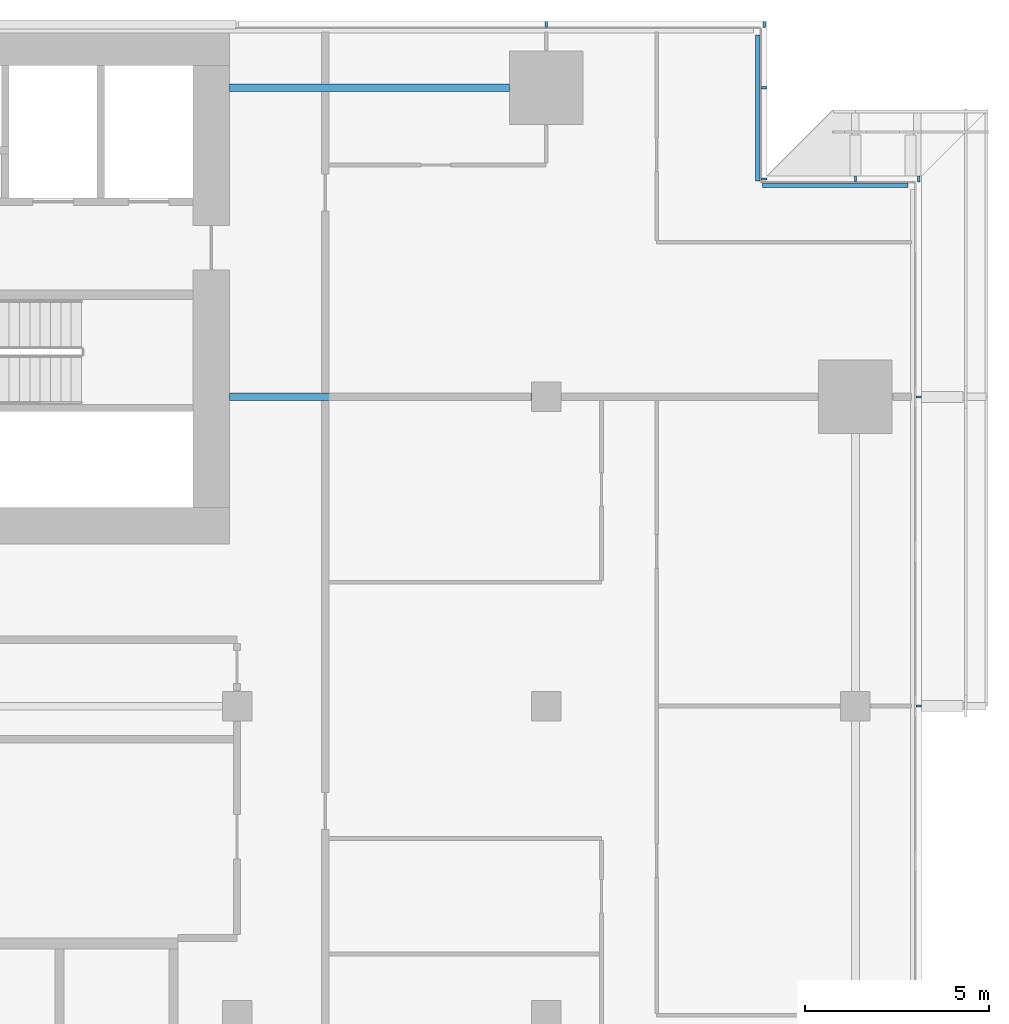
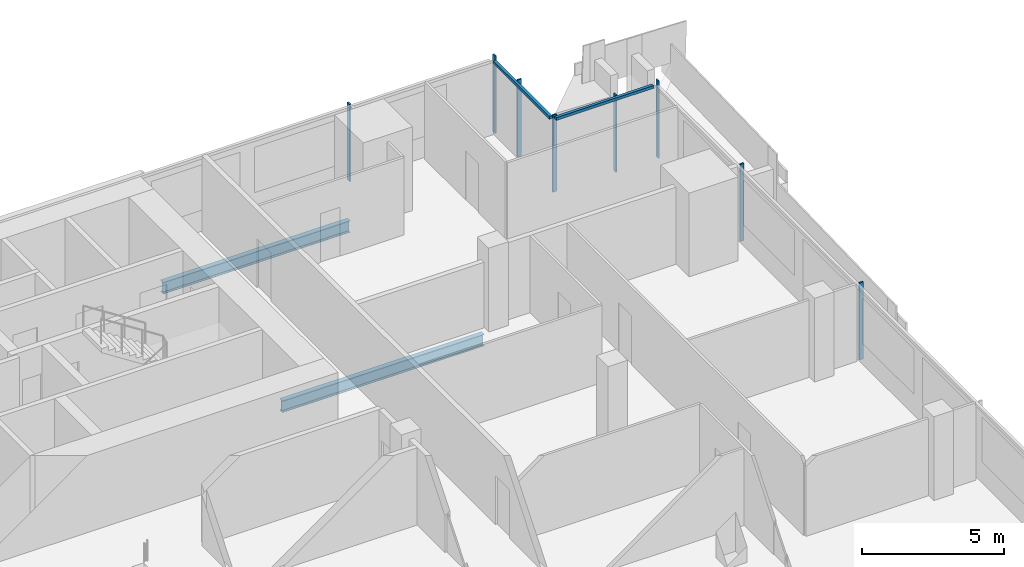
# One storey, part 14 of 29: 10 members, 2 beams, 4 elements without a shape of their own.
"""IFC4 building model written with IfcOpenShell, lengths in metres."""

from ifc_helpers import new_model, si_unit, direction, frame, origin, origin_2d, place, context, subcontext, project, spatial, rectangle, i_section, extrude, material, material_profile, profile_set, type_object, element, aggregate, save


model = new_model("IFC4")

# Units and contexts
model_context = context("Model", 3, precision=1e-05, world=origin(), true_north=direction((0.0, 1.0)))
body_context = subcontext(model_context, "Body", "Model", "MODEL_VIEW")
ifc_project = project(units=[si_unit("LENGTHUNIT", "METRE"), si_unit("AREAUNIT", "SQUARE_METRE"), si_unit("VOLUMEUNIT", "CUBIC_METRE"), si_unit("PLANEANGLEUNIT", "RADIAN"), si_unit("MASSUNIT", "GRAM", prefix="KILO")], contexts=[model_context])

# Site, building, storey
site_placement = place(None, origin())
site = spatial("IfcSite", under=ifc_project, at=site_placement, CompositionType="ELEMENT")
building_placement = place(site_placement, origin())
building = spatial("IfcBuilding", under=site, at=building_placement, Name="Saffron Gate Tower", CompositionType="ELEMENT")
storey_placement = place(building_placement, frame((0.0, 0.0, 113.25)))
storey = spatial("IfcBuildingStorey", under=building, at=storey_placement, Name="L26", CompositionType="ELEMENT", Elevation=113.25)

# Beams
ifc_material_1 = material(Name="Structural steel S355", Category="steel")
ifc_material_profile_1 = material_profile(ifc_material_1, i_section(OverallWidth=0.199951171875, OverallDepth=0.5, WebThickness=0.01025390625, FlangeThickness=0.01611328125, FilletRadius=0.02099609375, at=origin_2d()))
ifc_profile_set_1 = profile_set([ifc_material_profile_1], Name="Structural steel S355")
beam_type = type_object("IfcBeamType", Name="B10 IPE 500", PredefinedType="BEAM", material=ifc_profile_set_1)
beam_1_placement = place(storey_placement, frame((116.60009765625, 65.39990234375, -0.530029296875), z_axis=(-1.0, 0.0, 0.0), x_axis=(0.0, -1.0, 0.0)))
element("IfcBeam", 1, at=beam_1_placement, inside=storey, type_object=beam_type, Name="B10 CORE TIE BEAM", PredefinedType="BEAM", context=body_context, shape_type="SweptSolid", body=[
    extrude(i_section(OverallWidth=0.199951171875, OverallDepth=0.5, WebThickness=0.01025390625, FlangeThickness=0.01611328125, FilletRadius=0.02099609375, at=origin_2d()), origin(), (0.0, 0.0, 1.0), 8.2001953125),
])
beam_2_placement = place(storey_placement, frame((116.0, 73.800048828125, -0.530029296875), z_axis=(-1.0, 0.0, 0.0), x_axis=(0.0, -1.0, 0.0)))
element("IfcBeam", 2, at=beam_2_placement, inside=storey, type_object=beam_type, Name="B10 CORE TIE BEAM", PredefinedType="BEAM", context=body_context, shape_type="SweptSolid", body=[
    extrude(i_section(OverallWidth=0.199951171875, OverallDepth=0.5, WebThickness=0.01025390625, FlangeThickness=0.01611328125, FilletRadius=0.02099609375, at=origin_2d()), origin(), (0.0, 0.0, 1.0), 7.60009765625),
])

# Curtain wall, members
ifc_material_2 = material(Name="Aluminium, bronze anodised", Category="aluminium")
curtain_wall_type_1 = type_object("IfcCurtainWallType", Name="CWS2 curtain wall side facades", PredefinedType="NOTDEFINED", material=ifc_material_2)
curtain_wall_1_placement = place(storey_placement, origin())
curtain_wall_1 = element("IfcCurtainWall", 3, at=curtain_wall_1_placement, inside=storey, type_object=curtain_wall_type_1, Name="CWS2 run 4", PredefinedType="NOTDEFINED")
ifc_material_profile_2 = material_profile(ifc_material_2, rectangle(XDim=0.159912109375, YDim=0.06005859375, at=origin_2d()))
ifc_profile_set_2 = profile_set([ifc_material_profile_2], Name="Aluminium, bronze anodised")
member_type_1 = type_object("IfcMemberType", Name="CWS2 mullion 60x160", PredefinedType="MULLION", material=ifc_profile_set_2)
member_1_placement = place(storey_placement, frame((127.1201171875, 57.0, 0.0), z_axis=(0.0, 0.0, 1.0), x_axis=(-1.0, 0.0, 0.0)))
member_1 = element("IfcMember", 4, at=member_1_placement, type_object=member_type_1, Name="CWS2 mullion 4", PredefinedType="MULLION", context=body_context, shape_type="SweptSolid", body=[
    extrude(rectangle(XDim=0.159912109375, YDim=0.06005859375, at=origin_2d()), origin(), (0.0, 0.0, 1.0), 3.320068359375),
])
member_2_placement = place(storey_placement, frame((127.1201171875, 65.39990234375, 0.0), z_axis=(0.0, 0.0, 1.0), x_axis=(-1.0, 0.0, 0.0)))
member_2 = element("IfcMember", 5, at=member_2_placement, type_object=member_type_1, Name="CWS2 mullion 5", PredefinedType="MULLION", context=body_context, shape_type="SweptSolid", body=[
    extrude(rectangle(XDim=0.159912109375, YDim=0.06005859375, at=origin_2d()), origin(), (0.0, 0.0, 1.0), 3.320068359375),
])
aggregate(curtain_wall_1, [member_1, member_2])

curtain_wall_type_2 = type_object("IfcCurtainWallType", Name="CWS3 curtain wall rear facade", PredefinedType="NOTDEFINED", material=ifc_material_2)
curtain_wall_2_placement = place(storey_placement, origin())
curtain_wall_2 = element("IfcCurtainWall", 6, at=curtain_wall_2_placement, inside=storey, type_object=curtain_wall_type_2, Name="CWS3 run 7", PredefinedType="NOTDEFINED")
ifc_material_profile_3 = material_profile(ifc_material_2, rectangle(XDim=0.159912109375, YDim=0.070068359375, at=origin_2d()))
ifc_profile_set_3 = profile_set([ifc_material_profile_3], Name="Aluminium, bronze anodised")
member_type_2 = type_object("IfcMemberType", Name="CWS3 mullion 70x160", PredefinedType="MULLION", material=ifc_profile_set_3)
member_3_placement = place(storey_placement, frame((122.919921875, 75.52001953125, 0.0), z_axis=(0.0, 0.0, 1.0), x_axis=(0.0, -1.0, 0.0)))
member_3 = element("IfcMember", 7, at=member_3_placement, type_object=member_type_2, Name="CWS3 mullion 1", PredefinedType="MULLION", context=body_context, shape_type="SweptSolid", body=[
    extrude(rectangle(XDim=0.159912109375, YDim=0.070068359375, at=origin_2d()), origin(), (0.0, 0.0, 1.0), 3.320068359375),
])
member_4_placement = place(storey_placement, frame((117.0, 75.52001953125, 0.0), z_axis=(0.0, 0.0, 1.0), x_axis=(0.0, -1.0, 0.0)))
member_4 = element("IfcMember", 8, at=member_4_placement, type_object=member_type_2, Name="CWS3 mullion 2", PredefinedType="MULLION", context=body_context, shape_type="SweptSolid", body=[
    extrude(rectangle(XDim=0.159912109375, YDim=0.070068359375, at=origin_2d()), origin(), (0.0, 0.0, 1.0), 3.320068359375),
])
aggregate(curtain_wall_2, [member_3, member_4])

# Curtain wall, member
curtain_wall_type_3 = type_object("IfcCurtainWallType", Name="CWS4 curtain wall corner returns", PredefinedType="NOTDEFINED", material=ifc_material_2)
curtain_wall_3_placement = place(storey_placement, origin())
curtain_wall_3 = element("IfcCurtainWall", 9, at=curtain_wall_3_placement, inside=storey, type_object=curtain_wall_type_3, Name="CWS4 run 5", PredefinedType="NOTDEFINED")
ifc_material_profile_4 = material_profile(ifc_material_2, rectangle(XDim=0.1201171875, YDim=0.1201171875, at=origin_2d()))
ifc_profile_set_4 = profile_set([ifc_material_profile_4], Name="Aluminium, bronze anodised")
member_type_3 = type_object("IfcMemberType", Name="CWS4 head transom", PredefinedType="USERDEFINED", material=ifc_profile_set_4)
member_5_placement = place(storey_placement, frame((126.83203125, 71.152099609375, 3.260009765625), z_axis=(-1.0, 0.0, 0.0), x_axis=(0.0, -1.0, 0.0)))
member_5 = element("IfcMember", 10, at=member_5_placement, type_object=member_type_3, Name="CWS4 head transom", ObjectType="TRANSOM", PredefinedType="USERDEFINED", context=body_context, shape_type="SweptSolid", body=[
    extrude(rectangle(XDim=0.1201171875, YDim=0.1201171875, at=origin_2d()), origin(), (0.0, 0.0, 1.0), 3.9599609375),
])

curtain_wall_4_placement = place(storey_placement, origin())
curtain_wall_4 = element("IfcCurtainWall", 11, at=curtain_wall_4_placement, inside=storey, type_object=curtain_wall_type_3, Name="CWS4 run 6", PredefinedType="NOTDEFINED")
member_6_placement = place(storey_placement, frame((122.751953125, 71.27197265625, 3.260009765625), z_axis=(0.0, 1.0, 0.0), x_axis=(-1.0, 0.0, 0.0)))
member_6 = element("IfcMember", 12, at=member_6_placement, type_object=member_type_3, Name="CWS4 head transom", ObjectType="TRANSOM", PredefinedType="USERDEFINED", context=body_context, shape_type="SweptSolid", body=[
    extrude(rectangle(XDim=0.1201171875, YDim=0.1201171875, at=origin_2d()), origin(), (0.0, 0.0, 1.0), 3.9599609375),
])

# Member
ifc_material_profile_5 = material_profile(ifc_material_2, rectangle(XDim=0.159912109375, YDim=0.06005859375, at=origin_2d()))
ifc_profile_set_5 = profile_set([ifc_material_profile_5], Name="Aluminium, bronze anodised")
member_type_4 = type_object("IfcMemberType", Name="CWS4 mullion 60x160", PredefinedType="MULLION", material=ifc_profile_set_5)
member_7_placement = place(storey_placement, frame((127.1201171875, 71.320068359375, 0.0), z_axis=(0.0, 0.0, 1.0), x_axis=(0.0, -1.0, 0.0)))
member_7 = element("IfcMember", 13, at=member_7_placement, type_object=member_type_4, Name="CWS4 mullion 1", PredefinedType="MULLION", context=body_context, shape_type="SweptSolid", body=[
    extrude(rectangle(XDim=0.159912109375, YDim=0.06005859375, at=origin_2d()), origin(), (0.0, 0.0, 1.0), 3.320068359375),
])

member_8_placement = place(storey_placement, frame((125.39990234375, 71.320068359375, 0.0), z_axis=(0.0, 0.0, 1.0), x_axis=(0.0, -1.0, 0.0)))
member_8 = element("IfcMember", 14, at=member_8_placement, type_object=member_type_4, Name="CWS4 mullion 2", PredefinedType="MULLION", context=body_context, shape_type="SweptSolid", body=[
    extrude(rectangle(XDim=0.159912109375, YDim=0.06005859375, at=origin_2d()), origin(), (0.0, 0.0, 1.0), 3.320068359375),
])

aggregate(curtain_wall_3, [member_7, member_8, member_5])

member_9_placement = place(storey_placement, frame((122.919921875, 71.320068359375, 0.0), z_axis=(0.0, 0.0, 1.0), x_axis=(-1.0, 0.0, 0.0)))
member_9 = element("IfcMember", 15, at=member_9_placement, type_object=member_type_4, Name="CWS4 mullion 1", PredefinedType="MULLION", context=body_context, shape_type="SweptSolid", body=[
    extrude(rectangle(XDim=0.159912109375, YDim=0.06005859375, at=origin_2d()), origin(), (0.0, 0.0, 1.0), 3.320068359375),
])

member_10_placement = place(storey_placement, frame((122.919921875, 73.800048828125, 0.0), z_axis=(0.0, 0.0, 1.0), x_axis=(-1.0, 0.0, 0.0)))
member_10 = element("IfcMember", 16, at=member_10_placement, type_object=member_type_4, Name="CWS4 mullion 2", PredefinedType="MULLION", context=body_context, shape_type="SweptSolid", body=[
    extrude(rectangle(XDim=0.159912109375, YDim=0.06005859375, at=origin_2d()), origin(), (0.0, 0.0, 1.0), 3.320068359375),
])

aggregate(curtain_wall_4, [member_9, member_10, member_6])

save(model, "model.ifc")
